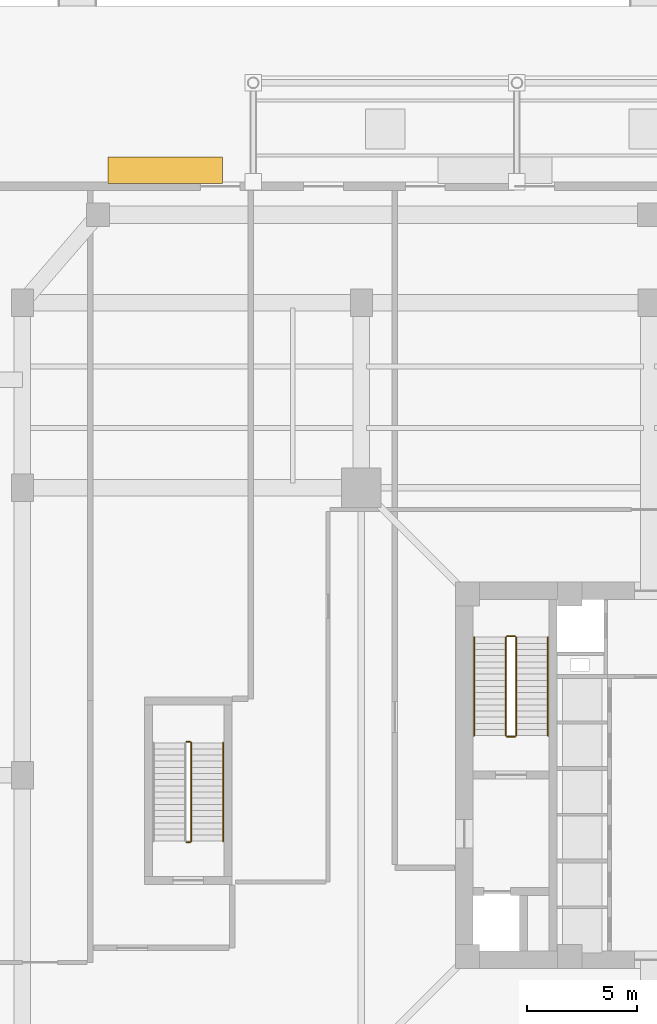
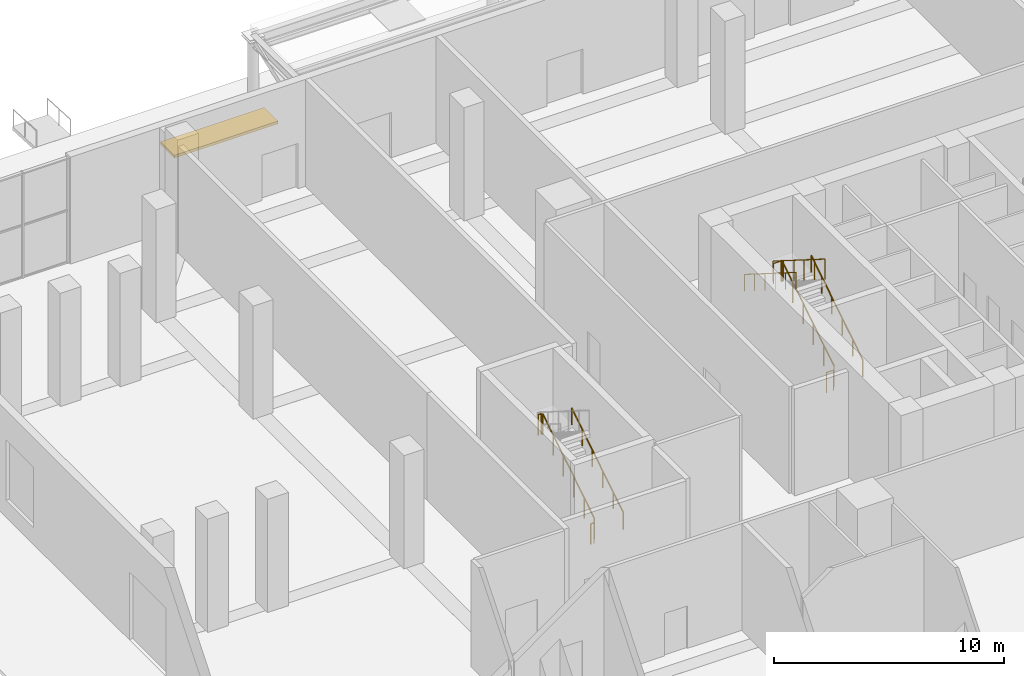
# One storey, part 20 of 25: 10 railings, 1 shading device.
"""IFC4 building model written with IfcOpenShell, lengths in metres."""

from ifc_helpers import new_model, si_unit, direction, frame, origin, origin_2d, place, context, subcontext, project, spatial, rectangle, circle, extrude, source, transform, mapped, material, layer, layer_set, type_object, element, save


model = new_model("IFC4")

# Units and contexts
model_context = context("Model", 3, precision=1e-05, world=origin(), true_north=direction((0.0, 1.0)))
body_context = subcontext(model_context, "Body", "Model", "MODEL_VIEW")
ifc_project = project(units=[si_unit("LENGTHUNIT", "METRE"), si_unit("AREAUNIT", "SQUARE_METRE"), si_unit("VOLUMEUNIT", "CUBIC_METRE"), si_unit("PLANEANGLEUNIT", "RADIAN"), si_unit("MASSUNIT", "GRAM", prefix="KILO"), si_unit("THERMODYNAMICTEMPERATUREUNIT", "KELVIN")], contexts=[model_context])

# Site, building, storey
site_placement = place(None, origin())
site = spatial("IfcSite", under=ifc_project, at=site_placement, CompositionType="ELEMENT")
building_placement = place(site_placement, origin())
building = spatial("IfcBuilding", under=site, at=building_placement, Name="Kosmvard Interchange Tower", CompositionType="ELEMENT")
storey_placement = place(building_placement, origin())
storey = spatial("IfcBuildingStorey", under=building, at=storey_placement, Name="L00", CompositionType="ELEMENT", Elevation=0.0)

# Shading device
ifc_material_1 = material(Name="Solar bronze aluminium", Category="aluminium")
ifc_layer = layer(ifc_material_1, 0.139892578125, Name="Solar bronze aluminium")
ifc_layer_set = layer_set([ifc_layer], Name="Solar bronze aluminium")
shading_device_type = type_object("IfcShadingDeviceType", Name="Podium Entrance Horizontal Brise-Soleil Sunshade 1200", PredefinedType="USERDEFINED", material=ifc_layer_set)
shared_shape_1 = source(origin(), body_context, "Body", "SweptSolid", [
    extrude(rectangle(XDim=5.199951171875, YDim=1.199951171875, at=origin_2d()), origin(), (0.0, 0.0, 1.0), 0.139892578125),
])
shading_device_placement = place(storey_placement, frame((-22.0, 27.52001953125, 3.5302734375), z_axis=(0.0, 0.0, 1.0), x_axis=(1.0, 0.0, 0.0)))
element("IfcShadingDevice", 1, at=shading_device_placement, inside=storey, type_object=shading_device_type, Name="L00 Horizontal Brise-Soleil Sunshade N1", ObjectType="SUNSHADE", PredefinedType="USERDEFINED", context=body_context, shape_type="MappedRepresentation", body=[
    mapped(shared_shape_1, transform((0.0, 0.0, 0.0), scale=1.0)),
])

# Railings
ifc_material_2 = material(Name="Steel S355", Category="steel")
railing_type_1 = type_object("IfcRailingType", Name="Stair & Terrace Safety Guardrail 1100 Steel", PredefinedType="GUARDRAIL", material=ifc_material_2)
shared_shape_2 = source(origin(), body_context, "Body", "SweptSolid", [
    extrude(circle(Radius=0.02392578125, at=origin_2d()), frame((0.0, 0.0, 1.076171875), z_axis=(-1.0, 0.0, 0.0), x_axis=(0.0, -1.0, 0.0)), (0.0, 0.0, 1.0), 0.35986328125),
    extrude(circle(Radius=0.02099609375, at=origin_2d()), origin(), (0.0, 0.0, 1.0), 1.052001953125),
    extrude(circle(Radius=0.02099609375, at=origin_2d()), frame((-0.35986328125, 0.0, 0.0)), (0.0, 0.0, 1.0), 1.052001953125),
])
for number, where, name in (
    (2, (-6.090087890625, 6.330078125, 3.0), "L00 ST-1 stair guard 2"),
    (3, (-6.090087890625, 1.75, 0.0), "L00 ST-1 stair guard 4"),
):
    element("IfcRailing", number, at=place(storey_placement, frame(where)), inside=storey, type_object=railing_type_1, Name=name, PredefinedType="GUARDRAIL", context=body_context, shape_type="MappedRepresentation", body=[
        mapped(shared_shape_2, transform((0.0, 0.0, 0.0), scale=1.0)),
    ])
shared_shape_3 = source(origin(), body_context, "Body", "SweptSolid", [
    extrude(circle(Radius=0.02392578125, at=origin_2d()), frame((0.0, 0.0, 1.076171875), z_axis=(0.0, 0.845997938375, 0.533186166611), x_axis=(-1.0, 0.0, 0.0)), (0.0, 0.0, 1.0), 5.29541015625),
    extrude(circle(Radius=0.02099609375, at=origin_2d()), origin(), (0.0, 0.0, 1.0), 1.052001953125),
    extrude(circle(Radius=0.02099609375, at=origin_2d()), frame((0.0, 0.89599609375, 0.564697265625)), (0.0, 0.0, 1.0), 1.052001953125),
    extrude(circle(Radius=0.02099609375, at=origin_2d()), frame((0.0, 1.7919921875, 1.12939453125)), (0.0, 0.0, 1.0), 1.052001953125),
    extrude(circle(Radius=0.02099609375, at=origin_2d()), frame((0.0, 2.68798828125, 1.694091796875)), (0.0, 0.0, 1.0), 1.052001953125),
    extrude(circle(Radius=0.02099609375, at=origin_2d()), frame((0.0, 3.583984375, 2.2587890625)), (0.0, 0.0, 1.0), 1.052001953125),
    extrude(circle(Radius=0.02099609375, at=origin_2d()), frame((0.0, 4.47998046875, 2.823486328125)), (0.0, 0.0, 1.0), 1.052001953125),
])
for number, where, name in (
    (4, (-6.0400390625, 1.800048828125, 0.176513671875), "L00 ST-1 stair guard 1"),
    (5, (-20.820068359375, -3.0, 0.176513671875), "L00 ST-3 stair guard 1"),
):
    element("IfcRailing", number, at=place(storey_placement, frame(where)), inside=storey, type_object=railing_type_1, Name=name, PredefinedType="GUARDRAIL", context=body_context, shape_type="MappedRepresentation", body=[
        mapped(shared_shape_3, transform((0.0, 0.0, 0.0), scale=1.0)),
    ])
shared_shape_4 = source(origin(), body_context, "Body", "SweptSolid", [
    extrude(circle(Radius=0.02392578125, at=origin_2d()), frame((0.0, 0.0, 1.076171875), z_axis=(0.0, -0.845997938375, 0.533186166611), x_axis=(1.0, 0.0, 0.0)), (0.0, 0.0, 1.0), 5.29541015625),
    extrude(circle(Radius=0.02099609375, at=origin_2d()), origin(), (0.0, 0.0, 1.0), 1.052001953125),
    extrude(circle(Radius=0.02099609375, at=origin_2d()), frame((0.0, -0.89599609375, 0.564697265625)), (0.0, 0.0, 1.0), 1.052001953125),
    extrude(circle(Radius=0.02099609375, at=origin_2d()), frame((0.0, -1.7919921875, 1.12939453125)), (0.0, 0.0, 1.0), 1.052001953125),
    extrude(circle(Radius=0.02099609375, at=origin_2d()), frame((0.0, -2.68798828125, 1.694091796875)), (0.0, 0.0, 1.0), 1.052001953125),
    extrude(circle(Radius=0.02099609375, at=origin_2d()), frame((0.0, -3.583984375, 2.2587890625)), (0.0, 0.0, 1.0), 1.052001953125),
    extrude(circle(Radius=0.02099609375, at=origin_2d()), frame((0.0, -4.47998046875, 2.823486328125)), (0.0, 0.0, 1.0), 1.052001953125),
])
railing_1_placement = place(storey_placement, frame((-6.5, 6.280029296875, 3.176513671875)))
element("IfcRailing", 6, at=railing_1_placement, inside=storey, type_object=railing_type_1, Name="L00 ST-1 stair guard 3", PredefinedType="GUARDRAIL", context=body_context, shape_type="MappedRepresentation", body=[
    mapped(shared_shape_4, transform((0.0, 0.0, 0.0), scale=1.0)),
])
railing_type_2 = type_object("IfcRailingType", Name="Wall-Mounted Stair Handrail 900 Steel", PredefinedType="HANDRAIL", material=ifc_material_2)
shared_shape_5 = source(origin(), body_context, "Body", "SweptSolid", [
    extrude(circle(Radius=0.02392578125, at=origin_2d()), frame((0.0, 0.0, 0.8759765625), z_axis=(0.0, 0.845997938375, 0.533186166611), x_axis=(-1.0, 0.0, 0.0)), (0.0, 0.0, 1.0), 5.29541015625),
    extrude(circle(Radius=0.02099609375, at=origin_2d()), origin(), (0.0, 0.0, 1.0), 0.851806640625),
    extrude(circle(Radius=0.02099609375, at=origin_2d()), frame((0.0, 0.89599609375, 0.564697265625)), (0.0, 0.0, 1.0), 0.851806640625),
    extrude(circle(Radius=0.02099609375, at=origin_2d()), frame((0.0, 1.7919921875, 1.12939453125)), (0.0, 0.0, 1.0), 0.851806640625),
    extrude(circle(Radius=0.02099609375, at=origin_2d()), frame((0.0, 2.68798828125, 1.694091796875)), (0.0, 0.0, 1.0), 0.851806640625),
    extrude(circle(Radius=0.02099609375, at=origin_2d()), frame((0.0, 3.583984375, 2.2587890625)), (0.0, 0.0, 1.0), 0.851806640625),
    extrude(circle(Radius=0.02099609375, at=origin_2d()), frame((0.0, 4.47998046875, 2.823486328125)), (0.0, 0.0, 1.0), 0.851806640625),
])
for number, where, name in (
    (7, (-4.590087890625, 1.800048828125, 0.176513671875), "L00 ST-1 stair handrail 1"),
    (8, (-19.3701171875, -3.0, 0.176513671875), "L00 ST-3 stair handrail 1"),
):
    element("IfcRailing", number, at=place(storey_placement, frame(where)), inside=storey, type_object=railing_type_2, Name=name, PredefinedType="HANDRAIL", context=body_context, shape_type="MappedRepresentation", body=[
        mapped(shared_shape_5, transform((0.0, 0.0, 0.0), scale=1.0)),
    ])
shared_shape_6 = source(origin(), body_context, "Body", "SweptSolid", [
    extrude(circle(Radius=0.02392578125, at=origin_2d()), frame((0.0, 0.0, 0.8759765625), z_axis=(0.0, -0.845997938375, 0.533186166611), x_axis=(1.0, 0.0, 0.0)), (0.0, 0.0, 1.0), 5.29541015625),
    extrude(circle(Radius=0.02099609375, at=origin_2d()), origin(), (0.0, 0.0, 1.0), 0.851806640625),
    extrude(circle(Radius=0.02099609375, at=origin_2d()), frame((0.0, -0.89599609375, 0.564697265625)), (0.0, 0.0, 1.0), 0.851806640625),
    extrude(circle(Radius=0.02099609375, at=origin_2d()), frame((0.0, -1.7919921875, 1.12939453125)), (0.0, 0.0, 1.0), 0.851806640625),
    extrude(circle(Radius=0.02099609375, at=origin_2d()), frame((0.0, -2.68798828125, 1.694091796875)), (0.0, 0.0, 1.0), 0.851806640625),
    extrude(circle(Radius=0.02099609375, at=origin_2d()), frame((0.0, -3.583984375, 2.2587890625)), (0.0, 0.0, 1.0), 0.851806640625),
    extrude(circle(Radius=0.02099609375, at=origin_2d()), frame((0.0, -4.47998046875, 2.823486328125)), (0.0, 0.0, 1.0), 0.851806640625),
])
railing_2_placement = place(storey_placement, frame((-7.949951171875, 6.280029296875, 3.176513671875)))
element("IfcRailing", 9, at=railing_2_placement, inside=storey, type_object=railing_type_2, Name="L00 ST-1 stair handrail 2", PredefinedType="HANDRAIL", context=body_context, shape_type="MappedRepresentation", body=[
    mapped(shared_shape_6, transform((0.0, 0.0, 0.0), scale=1.0)),
])
shared_shape_7 = source(origin(), body_context, "Body", "SweptSolid", [
    extrude(circle(Radius=0.02392578125, at=origin_2d()), frame((0.0, 0.0, 1.076171875), z_axis=(-1.0, 0.0, 0.0), x_axis=(0.0, -1.0, 0.0)), (0.0, 0.0, 1.0), 0.159912109375),
    extrude(circle(Radius=0.02099609375, at=origin_2d()), origin(), (0.0, 0.0, 1.0), 1.052001953125),
    extrude(circle(Radius=0.02099609375, at=origin_2d()), frame((-0.159912109375, 0.0, 0.0)), (0.0, 0.0, 1.0), 1.052001953125),
])
for number, where, name in (
    (10, (-20.8701171875, 1.530029296875, 3.0), "L00 ST-3 stair guard 2"),
    (11, (-20.8701171875, -3.050048828125, 0.0), "L00 ST-3 stair guard 4"),
):
    element("IfcRailing", number, at=place(storey_placement, frame(where)), inside=storey, type_object=railing_type_1, Name=name, PredefinedType="GUARDRAIL", context=body_context, shape_type="MappedRepresentation", body=[
        mapped(shared_shape_7, transform((0.0, 0.0, 0.0), scale=1.0)),
    ])

save(model, "model.ifc")
